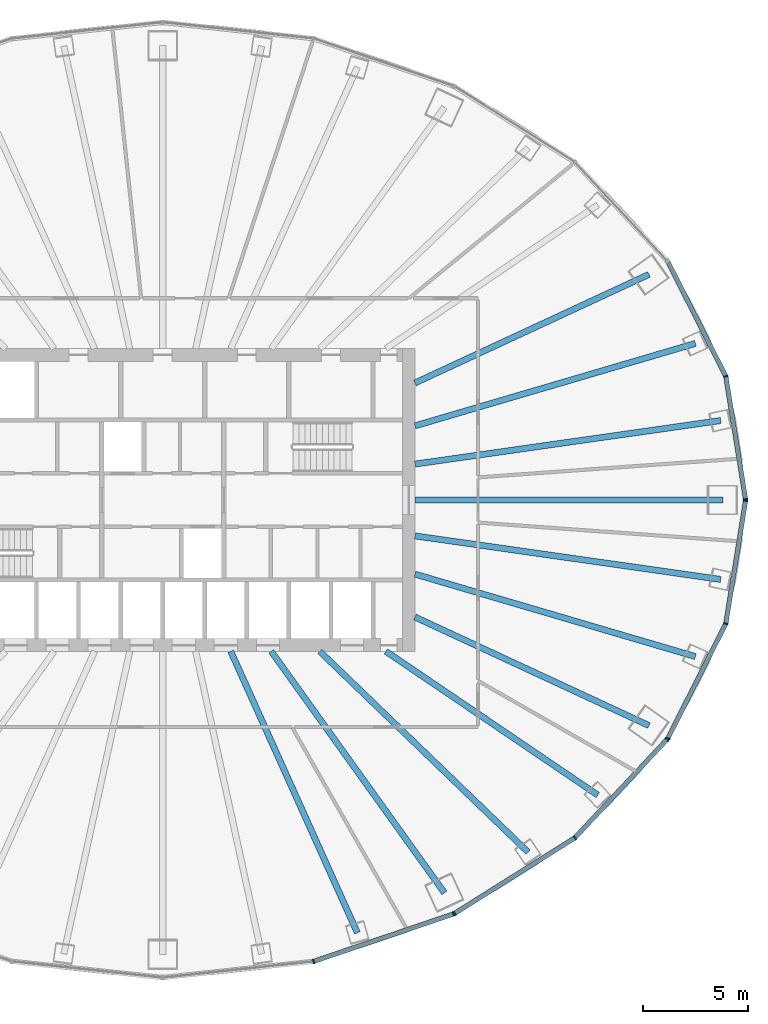
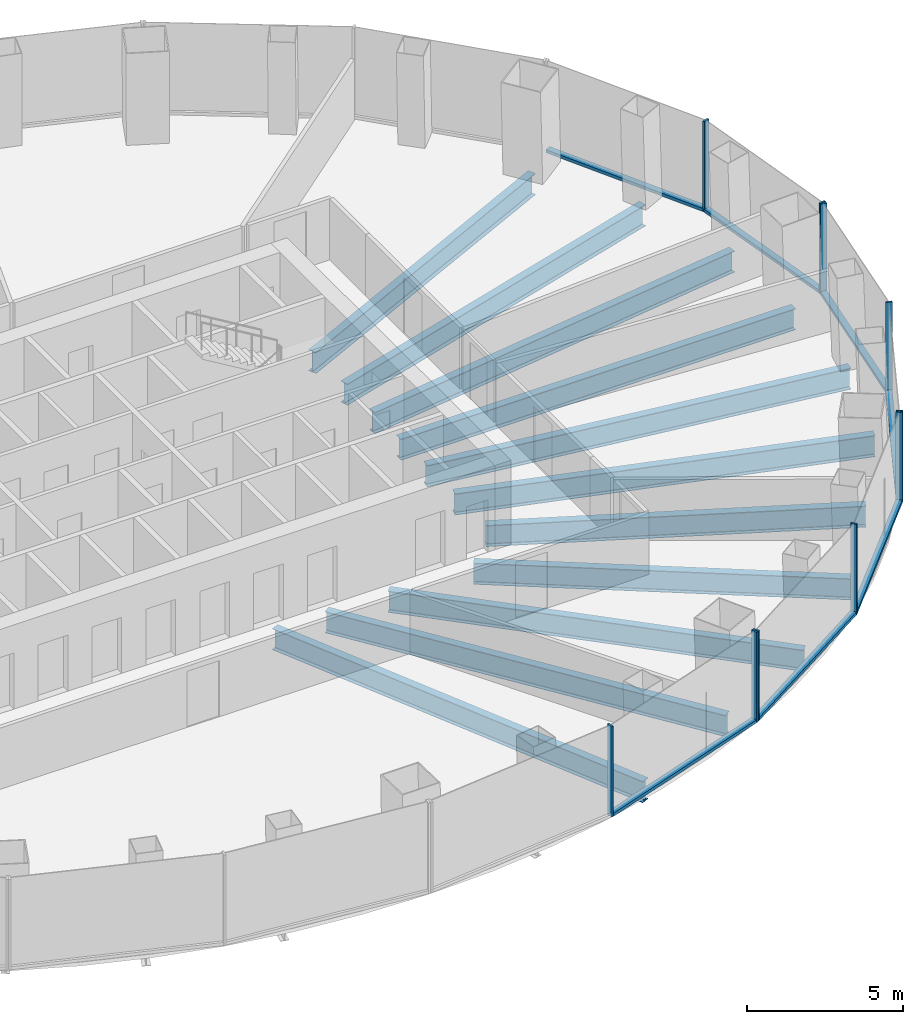
# One storey, part 4 of 11: 17 members, 11 beams, 4 elements without a shape of their own.
"""IFC4 building model written with IfcOpenShell, lengths in metres."""

from ifc_helpers import new_model, si_unit, direction, frame, origin, origin_2d, place, context, subcontext, project, spatial, rectangle, i_section, extrude, material, layer, layer_set, material_profile, profile_set, type_object, element, aggregate, save


model = new_model("IFC4")

# Units and contexts
model_context = context("Model", 3, precision=1e-05, world=origin(), true_north=direction((0.0, 1.0)))
body_context = subcontext(model_context, "Body", "Model", "MODEL_VIEW")
ifc_project = project(units=[si_unit("LENGTHUNIT", "METRE"), si_unit("AREAUNIT", "SQUARE_METRE"), si_unit("VOLUMEUNIT", "CUBIC_METRE"), si_unit("PLANEANGLEUNIT", "RADIAN"), si_unit("MASSUNIT", "GRAM", prefix="KILO")], contexts=[model_context])

# Site, building, storey
site_placement = place(None, origin())
site = spatial("IfcSite", under=ifc_project, at=site_placement, CompositionType="ELEMENT")
building_placement = place(site_placement, origin())
building = spatial("IfcBuilding", under=site, at=building_placement, Name="Siaravel Broadcast Tower", CompositionType="ELEMENT")
storey_placement = place(building_placement, frame((0.0, 0.0, 51.89990234375)))
storey = spatial("IfcBuildingStorey", under=building, at=storey_placement, Name="L11", CompositionType="ELEMENT", Elevation=51.89990234375)

# Beams
ifc_material_1 = material(Name="Steel S355", Category="steel")
ifc_material_profile_1 = material_profile(ifc_material_1, i_section(OverallWidth=0.291748046875, OverallDepth=0.8349609375, WebThickness=0.013916015625, FlangeThickness=0.018798828125, FilletRadius=0.017822265625, at=origin_2d()))
ifc_profile_set_1 = profile_set([ifc_material_profile_1], Name="Steel S355")
beam_type = type_object("IfcBeamType", Name="BM-UB 838x292x176", PredefinedType="BEAM", material=ifc_profile_set_1)
beam_1_placement = place(storey_placement, frame((26.64599609375, 0.0, -0.5673828125), z_axis=(-1.0, 0.0, 0.0), x_axis=(0.0, -1.0, 0.0)))
element("IfcBeam", 1, at=beam_1_placement, inside=storey, type_object=beam_type, Name="Radial beam RB01", PredefinedType="BEAM", context=body_context, shape_type="SweptSolid", body=[
    extrude(i_section(OverallWidth=0.291748046875, OverallDepth=0.8349609375, WebThickness=0.013916015625, FlangeThickness=0.018798828125, FilletRadius=0.017822265625, at=origin_2d()), origin(), (0.0, 0.0, 1.0), 14.64599609375),
])
beam_2_placement = place(storey_placement, frame((26.54248046875, 3.7783203125, -0.5673828125), z_axis=(-0.990017854, -0.140942004, 0.0), x_axis=(0.140942004, -0.990017854, 0.0)))
element("IfcBeam", 2, at=beam_2_placement, inside=storey, type_object=beam_type, Name="Radial beam RB02", PredefinedType="BEAM", context=body_context, shape_type="SweptSolid", body=[
    extrude(i_section(OverallWidth=0.291748046875, OverallDepth=0.8349609375, WebThickness=0.013916015625, FlangeThickness=0.018798828125, FilletRadius=0.017822265625, at=origin_2d()), origin(), (0.0, 0.0, 1.0), 14.689208984375),
])
beam_3_placement = place(storey_placement, frame((25.341552734375, 7.4482421875, -0.5673828125), z_axis=(-0.959420837, -0.281978115, 0.0), x_axis=(0.281978115, -0.959420837, 0.0)))
element("IfcBeam", 3, at=beam_3_placement, inside=storey, type_object=beam_type, Name="Radial beam RB03", PredefinedType="BEAM", context=body_context, shape_type="SweptSolid", body=[
    extrude(i_section(OverallWidth=0.291748046875, OverallDepth=0.8349609375, WebThickness=0.013916015625, FlangeThickness=0.018798828125, FilletRadius=0.017822265625, at=origin_2d()), origin(), (0.0, 0.0, 1.0), 13.90576171875),
])
beam_4_placement = place(storey_placement, frame((23.129638671875, 10.729736328125, -0.5673828125), z_axis=(-0.907148714, -0.420810184, 0.0), x_axis=(0.420810184, -0.907148714, 0.0)))
element("IfcBeam", 4, at=beam_4_placement, inside=storey, type_object=beam_type, Name="Radial beam RB04", PredefinedType="BEAM", context=body_context, shape_type="SweptSolid", body=[
    extrude(i_section(OverallWidth=0.291748046875, OverallDepth=0.8349609375, WebThickness=0.013916015625, FlangeThickness=0.018798828125, FilletRadius=0.017822265625, at=origin_2d()), origin(), (0.0, 0.0, 1.0), 12.268798828125),
])
beam_5_placement = place(storey_placement, frame((9.260986328125, -20.58984375, -0.5673828125), z_axis=(-0.410195272, 0.911997718, 0.0), x_axis=(-0.911997718, -0.410195272, 0.0)))
element("IfcBeam", 5, at=beam_5_placement, inside=storey, type_object=beam_type, Name="Radial beam RB30", PredefinedType="BEAM", context=body_context, shape_type="SweptSolid", body=[
    extrude(i_section(OverallWidth=0.291748046875, OverallDepth=0.8349609375, WebThickness=0.013916015625, FlangeThickness=0.018798828125, FilletRadius=0.017822265625, at=origin_2d()), origin(), (0.0, 0.0, 1.0), 14.681884765625),
])
beam_6_placement = place(storey_placement, frame((13.402587890625, -18.687744140625, -0.5673828125), z_axis=(-0.582792363, 0.812621106, 0.0), x_axis=(-0.812621106, -0.582792363, 0.0)))
element("IfcBeam", 6, at=beam_6_placement, inside=storey, type_object=beam_type, Name="Radial beam RB31", PredefinedType="BEAM", context=body_context, shape_type="SweptSolid", body=[
    extrude(i_section(OverallWidth=0.291748046875, OverallDepth=0.8349609375, WebThickness=0.013916015625, FlangeThickness=0.018798828125, FilletRadius=0.017822265625, at=origin_2d()), origin(), (0.0, 0.0, 1.0), 14.13671875),
])
beam_7_placement = place(storey_placement, frame((17.381591796875, -16.750732421875, -0.5673828125), z_axis=(-0.720050335, 0.693921836, 0.0), x_axis=(-0.693921836, -0.720050335, 0.0)))
element("IfcBeam", 7, at=beam_7_placement, inside=storey, type_object=beam_type, Name="Radial beam RB32", PredefinedType="BEAM", context=body_context, shape_type="SweptSolid", body=[
    extrude(i_section(OverallWidth=0.291748046875, OverallDepth=0.8349609375, WebThickness=0.013916015625, FlangeThickness=0.018798828125, FilletRadius=0.017822265625, at=origin_2d()), origin(), (0.0, 0.0, 1.0), 13.763427734375),
])
beam_8_placement = place(storey_placement, frame((20.69580078125, -14.0361328125, -0.5673828125), z_axis=(-0.827610801, 0.56130238, 0.0), x_axis=(-0.56130238, -0.827610801, 0.0)))
element("IfcBeam", 8, at=beam_8_placement, inside=storey, type_object=beam_type, Name="Radial beam RB33", PredefinedType="BEAM", context=body_context, shape_type="SweptSolid", body=[
    extrude(i_section(OverallWidth=0.291748046875, OverallDepth=0.8349609375, WebThickness=0.013916015625, FlangeThickness=0.018798828125, FilletRadius=0.017822265625, at=origin_2d()), origin(), (0.0, 0.0, 1.0), 12.17919921875),
])
beam_9_placement = place(storey_placement, frame((23.129638671875, -10.729736328125, -0.5673828125), z_axis=(-0.907148714, 0.420810184, 0.0), x_axis=(-0.420810184, -0.907148714, 0.0)))
element("IfcBeam", 9, at=beam_9_placement, inside=storey, type_object=beam_type, Name="Radial beam RB34", PredefinedType="BEAM", context=body_context, shape_type="SweptSolid", body=[
    extrude(i_section(OverallWidth=0.291748046875, OverallDepth=0.8349609375, WebThickness=0.013916015625, FlangeThickness=0.018798828125, FilletRadius=0.017822265625, at=origin_2d()), origin(), (0.0, 0.0, 1.0), 12.268798828125),
])
beam_10_placement = place(storey_placement, frame((25.341552734375, -7.4482421875, -0.5673828125), z_axis=(-0.959420837, 0.281978115, 0.0), x_axis=(-0.281978115, -0.959420837, 0.0)))
element("IfcBeam", 10, at=beam_10_placement, inside=storey, type_object=beam_type, Name="Radial beam RB35", PredefinedType="BEAM", context=body_context, shape_type="SweptSolid", body=[
    extrude(i_section(OverallWidth=0.291748046875, OverallDepth=0.8349609375, WebThickness=0.013916015625, FlangeThickness=0.018798828125, FilletRadius=0.017822265625, at=origin_2d()), origin(), (0.0, 0.0, 1.0), 13.90576171875),
])
beam_11_placement = place(storey_placement, frame((26.54248046875, -3.7783203125, -0.5673828125), z_axis=(-0.990017854, 0.140942004, 0.0), x_axis=(-0.140942004, -0.990017854, 0.0)))
element("IfcBeam", 11, at=beam_11_placement, inside=storey, type_object=beam_type, Name="Radial beam RB36", PredefinedType="BEAM", context=body_context, shape_type="SweptSolid", body=[
    extrude(i_section(OverallWidth=0.291748046875, OverallDepth=0.8349609375, WebThickness=0.013916015625, FlangeThickness=0.018798828125, FilletRadius=0.017822265625, at=origin_2d()), origin(), (0.0, 0.0, 1.0), 14.689208984375),
])

# Curtain wall, members
ifc_material_2 = material(Name="Aluminium 6063-T6", Category="aluminium")
ifc_layer = layer(ifc_material_2, 0.219970703125)
ifc_layer_set = layer_set([ifc_layer], Name="Aluminium 6063-T6")
curtain_wall_type = type_object("IfcCurtainWallType", Name="Unitised curtain wall, zone 1", PredefinedType="NOTDEFINED", material=ifc_layer_set)
curtain_wall_1_placement = place(storey_placement, origin())
curtain_wall_1 = element("IfcCurtainWall", 12, at=curtain_wall_1_placement, inside=storey, type_object=curtain_wall_type, Name="L11 Unitised curtain wall, zone 1 01", PredefinedType="NOTDEFINED")
ifc_material_profile_2 = material_profile(ifc_material_2, rectangle(XDim=0.219970703125, YDim=0.070068359375, at=origin_2d()))
ifc_profile_set_2 = profile_set([ifc_material_profile_2], Name="Aluminium 6063-T6")
member_type_1 = type_object("IfcMemberType", Name="CW-Z1 mullion", PredefinedType="MULLION", material=ifc_profile_set_2)
member_1_placement = place(storey_placement, frame((27.726318359375, 0.03466796875, 0.0), z_axis=(0.0, 0.0, 1.0), x_axis=(-0.987329143, -0.158685735, 0.0)))
member_1 = element("IfcMember", 13, at=member_1_placement, type_object=member_type_1, Name="CW-Z1 mullion 1", PredefinedType="MULLION", context=body_context, shape_type="SweptSolid", body=[
    extrude(rectangle(XDim=0.219970703125, YDim=0.070068359375, at=origin_2d()), origin(), (0.0, 0.0, 1.0), 3.550048828125),
])
member_2_placement = place(storey_placement, frame((26.7861328125, 5.88427734375, 0.0), z_axis=(0.0, 0.0, 1.0), x_axis=(-0.951177111, -0.308645596, 0.0)))
member_2 = element("IfcMember", 14, at=member_2_placement, type_object=member_type_1, Name="CW-Z1 mullion 2", PredefinedType="MULLION", context=body_context, shape_type="SweptSolid", body=[
    extrude(rectangle(XDim=0.219970703125, YDim=0.070068359375, at=origin_2d()), origin(), (0.0, 0.0, 1.0), 3.550048828125),
])

curtain_wall_2_placement = place(storey_placement, origin())
curtain_wall_2 = element("IfcCurtainWall", 15, at=curtain_wall_2_placement, inside=storey, type_object=curtain_wall_type, Name="L11 Unitised curtain wall, zone 1 10", PredefinedType="NOTDEFINED")
member_3_placement = place(storey_placement, frame((7.17529296875, -21.95068359375, 0.0), z_axis=(0.0, 0.0, 1.0), x_axis=(-0.215558136, 0.976491009, 0.0)))
member_3 = element("IfcMember", 16, at=member_3_placement, type_object=member_type_1, Name="CW-Z1 mullion 2", PredefinedType="MULLION", context=body_context, shape_type="SweptSolid", body=[
    extrude(rectangle(XDim=0.219970703125, YDim=0.070068359375, at=origin_2d()), origin(), (0.0, 0.0, 1.0), 3.550048828125),
])
member_4_placement = place(storey_placement, frame((13.8291015625, -19.693115234375, 0.0), z_axis=(0.0, 0.0, 1.0), x_axis=(-0.321300709, 0.94697722, 0.0)))
member_4 = element("IfcMember", 17, at=member_4_placement, type_object=member_type_1, Name="CW-Z1 mullion 3", PredefinedType="MULLION", context=body_context, shape_type="SweptSolid", body=[
    extrude(rectangle(XDim=0.219970703125, YDim=0.070068359375, at=origin_2d()), origin(), (0.0, 0.0, 1.0), 3.550048828125),
])

curtain_wall_3_placement = place(storey_placement, origin())
curtain_wall_3 = element("IfcCurtainWall", 18, at=curtain_wall_3_placement, inside=storey, type_object=curtain_wall_type, Name="L11 Unitised curtain wall, zone 1 11", PredefinedType="NOTDEFINED")
member_5_placement = place(storey_placement, frame((13.89208984375, -19.663330078125, 0.0), z_axis=(0.0, 0.0, 1.0), x_axis=(-0.532149214, 0.846650586, 0.0)))
member_5 = element("IfcMember", 19, at=member_5_placement, type_object=member_type_1, Name="CW-Z1 mullion 1", PredefinedType="MULLION", context=body_context, shape_type="SweptSolid", body=[
    extrude(rectangle(XDim=0.219970703125, YDim=0.070068359375, at=origin_2d()), origin(), (0.0, 0.0, 1.0), 3.550048828125),
])
member_6_placement = place(storey_placement, frame((19.605712890625, -16.072021484375, 0.0), z_axis=(0.0, 0.0, 1.0), x_axis=(-0.636218527, 0.771508902, 0.0)))
member_6 = element("IfcMember", 20, at=member_6_placement, type_object=member_type_1, Name="CW-Z1 mullion 2", PredefinedType="MULLION", context=body_context, shape_type="SweptSolid", body=[
    extrude(rectangle(XDim=0.219970703125, YDim=0.070068359375, at=origin_2d()), origin(), (0.0, 0.0, 1.0), 3.550048828125),
])
member_7_placement = place(storey_placement, frame((23.990234375, -11.3916015625, 0.0), z_axis=(0.0, 0.0, 1.0), x_axis=(-0.729805061, 0.683655302, 0.0)))
member_7 = element("IfcMember", 21, at=member_7_placement, type_object=member_type_1, Name="CW-Z1 mullion 3", PredefinedType="MULLION", context=body_context, shape_type="SweptSolid", body=[
    extrude(rectangle(XDim=0.219970703125, YDim=0.070068359375, at=origin_2d()), origin(), (0.0, 0.0, 1.0), 3.550048828125),
])

curtain_wall_4_placement = place(storey_placement, origin())
curtain_wall_4 = element("IfcCurtainWall", 22, at=curtain_wall_4_placement, inside=storey, type_object=curtain_wall_type, Name="L11 Unitised curtain wall, zone 1 12", PredefinedType="NOTDEFINED")
member_8_placement = place(storey_placement, frame((24.02978515625, -11.3349609375, 0.0), z_axis=(0.0, 0.0, 1.0), x_axis=(-0.892391886, 0.451261257, 0.0)))
member_8 = element("IfcMember", 23, at=member_8_placement, type_object=member_type_1, Name="CW-Z1 mullion 1", PredefinedType="MULLION", context=body_context, shape_type="SweptSolid", body=[
    extrude(rectangle(XDim=0.219970703125, YDim=0.070068359375, at=origin_2d()), origin(), (0.0, 0.0, 1.0), 3.550048828125),
])
member_9_placement = place(storey_placement, frame((26.7861328125, -5.88427734375, 0.0), z_axis=(0.0, 0.0, 1.0), x_axis=(-0.951177111, 0.308645596, 0.0)))
member_9 = element("IfcMember", 24, at=member_9_placement, type_object=member_type_1, Name="CW-Z1 mullion 2", PredefinedType="MULLION", context=body_context, shape_type="SweptSolid", body=[
    extrude(rectangle(XDim=0.219970703125, YDim=0.070068359375, at=origin_2d()), origin(), (0.0, 0.0, 1.0), 3.550048828125),
])
member_10_placement = place(storey_placement, frame((27.726318359375, -0.03466796875, 0.0), z_axis=(0.0, 0.0, 1.0), x_axis=(-0.987329143, 0.158685735, 0.0)))
member_10 = element("IfcMember", 25, at=member_10_placement, type_object=member_type_1, Name="CW-Z1 mullion 3", PredefinedType="MULLION", context=body_context, shape_type="SweptSolid", body=[
    extrude(rectangle(XDim=0.219970703125, YDim=0.070068359375, at=origin_2d()), origin(), (0.0, 0.0, 1.0), 3.550048828125),
])

# Member
ifc_material_profile_3 = material_profile(ifc_material_2, rectangle(XDim=0.219970703125, YDim=0.1201171875, at=origin_2d()))
ifc_profile_set_3 = profile_set([ifc_material_profile_3], Name="Aluminium 6063-T6")
member_type_2 = type_object("IfcMemberType", Name="CW-Z1 transom", PredefinedType="USERDEFINED", material=ifc_profile_set_3)
member_11_placement = place(storey_placement, frame((27.720703125, 0.069091796875, 0.06005859375), z_axis=(-0.158668659, 0.987331888, 0.0), x_axis=(-0.987331888, -0.158668659, 0.0)))
member_11 = element("IfcMember", 26, at=member_11_placement, type_object=member_type_2, Name="CW-Z1 transom 1", ObjectType="TRANSOM", PredefinedType="USERDEFINED", context=body_context, shape_type="SweptSolid", body=[
    extrude(rectangle(XDim=0.219970703125, YDim=0.1201171875, at=origin_2d()), origin(), (0.0, 0.0, 1.0), 5.854736328125),
])

member_12_placement = place(storey_placement, frame((26.7705078125, 5.915283203125, 0.06005859375), z_axis=(-0.451268424, 0.892388262, 0.0), x_axis=(-0.892388262, -0.451268424, 0.0)))
member_12 = element("IfcMember", 27, at=member_12_placement, type_object=member_type_2, Name="CW-Z1 transom 2", ObjectType="TRANSOM", PredefinedType="USERDEFINED", context=body_context, shape_type="SweptSolid", body=[
    extrude(rectangle(XDim=0.219970703125, YDim=0.1201171875, at=origin_2d()), origin(), (0.0, 0.0, 1.0), 6.038330078125),
])

aggregate(curtain_wall_1, [member_1, member_2, member_11, member_12])

member_13_placement = place(storey_placement, frame((7.20849609375, -21.939697265625, 0.06005859375), z_axis=(0.946974505, 0.321308709, 0.0), x_axis=(-0.321308709, 0.946974505, 0.0)))
member_13 = element("IfcMember", 28, at=member_13_placement, type_object=member_type_2, Name="CW-Z1 transom 2", ObjectType="TRANSOM", PredefinedType="USERDEFINED", context=body_context, shape_type="SweptSolid", body=[
    extrude(rectangle(XDim=0.219970703125, YDim=0.1201171875, at=origin_2d()), origin(), (0.0, 0.0, 1.0), 6.956298828125),
])

aggregate(curtain_wall_2, [member_3, member_4, member_13])

member_14_placement = place(storey_placement, frame((13.921630859375, -19.644775390625, 0.06005859375), z_axis=(0.846658666, 0.532136358, 0.0), x_axis=(-0.532136358, 0.846658666, 0.0)))
member_14 = element("IfcMember", 29, at=member_14_placement, type_object=member_type_2, Name="CW-Z1 transom 1", ObjectType="TRANSOM", PredefinedType="USERDEFINED", context=body_context, shape_type="SweptSolid", body=[
    extrude(rectangle(XDim=0.219970703125, YDim=0.1201171875, at=origin_2d()), origin(), (0.0, 0.0, 1.0), 6.6787109375),
])

member_15_placement = place(storey_placement, frame((19.629638671875, -16.04638671875, 0.06005859375), z_axis=(0.683676063, 0.729785613, 0.0), x_axis=(-0.729785613, 0.683676063, 0.0)))
member_15 = element("IfcMember", 30, at=member_15_placement, type_object=member_type_2, Name="CW-Z1 transom 2", ObjectType="TRANSOM", PredefinedType="USERDEFINED", context=body_context, shape_type="SweptSolid", body=[
    extrude(rectangle(XDim=0.219970703125, YDim=0.1201171875, at=origin_2d()), origin(), (0.0, 0.0, 1.0), 6.34326171875),
])

aggregate(curtain_wall_3, [member_5, member_6, member_7, member_14, member_15])

member_16_placement = place(storey_placement, frame((24.045654296875, -11.3037109375, 0.06005859375), z_axis=(0.451268424, 0.892388262, 0.0), x_axis=(-0.892388262, 0.451268424, 0.0)))
member_16 = element("IfcMember", 31, at=member_16_placement, type_object=member_type_2, Name="CW-Z1 transom 1", ObjectType="TRANSOM", PredefinedType="USERDEFINED", context=body_context, shape_type="SweptSolid", body=[
    extrude(rectangle(XDim=0.219970703125, YDim=0.1201171875, at=origin_2d()), origin(), (0.0, 0.0, 1.0), 6.038330078125),
])

member_17_placement = place(storey_placement, frame((26.791748046875, -5.849609375, 0.06005859375), z_axis=(0.158668659, 0.987331888, 0.0), x_axis=(-0.987331888, 0.158668659, 0.0)))
member_17 = element("IfcMember", 32, at=member_17_placement, type_object=member_type_2, Name="CW-Z1 transom 2", ObjectType="TRANSOM", PredefinedType="USERDEFINED", context=body_context, shape_type="SweptSolid", body=[
    extrude(rectangle(XDim=0.219970703125, YDim=0.1201171875, at=origin_2d()), origin(), (0.0, 0.0, 1.0), 5.854736328125),
])

aggregate(curtain_wall_4, [member_8, member_9, member_10, member_16, member_17])

save(model, "model.ifc")
